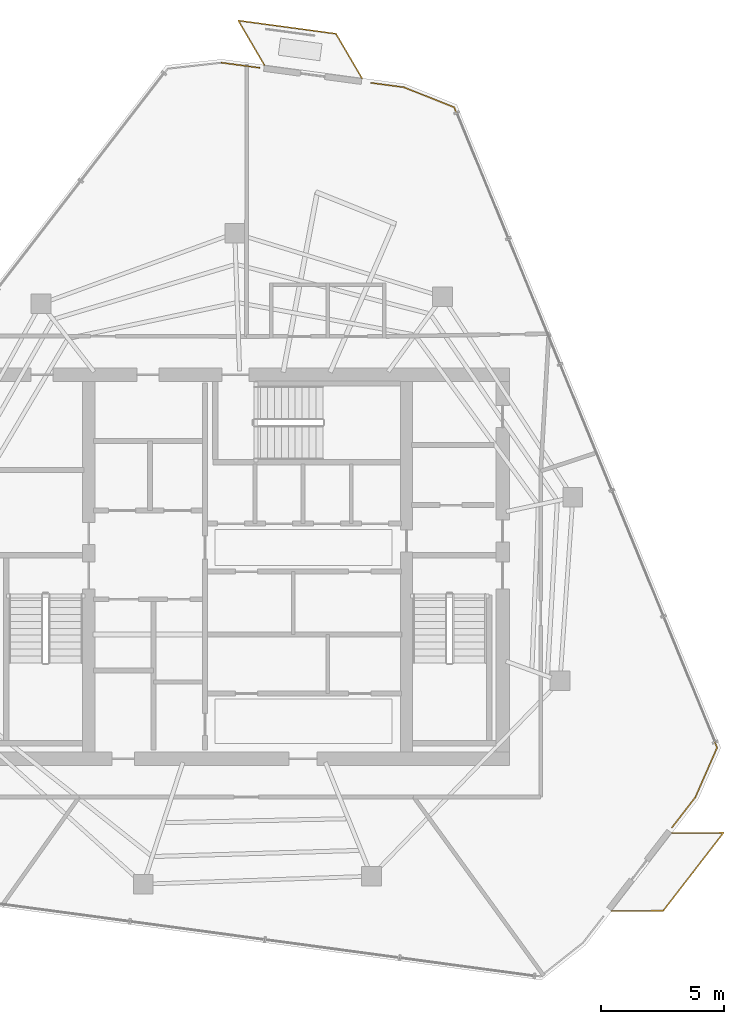
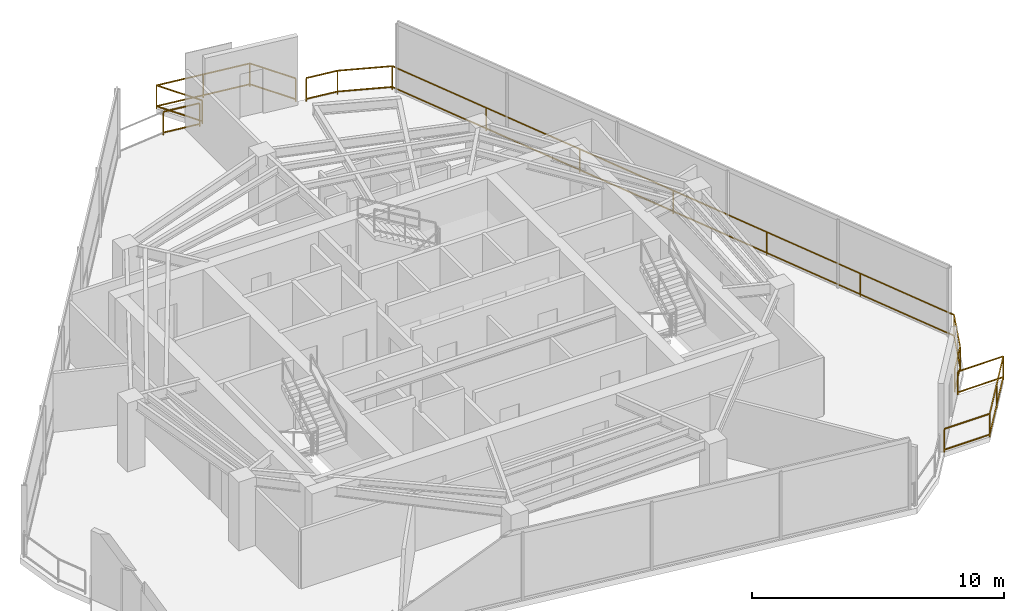
# One storey, part 19 of 19: 4 railings.
"""IFC4 building model written with IfcOpenShell, lengths in metres."""

from ifc_helpers import new_model, si_unit, direction, frame, origin, origin_2d, place, context, subcontext, project, spatial, rectangle, extrude, material, type_object, element, save


model = new_model("IFC4")

# Units and contexts
model_context = context("Model", 3, precision=1e-05, world=origin(), true_north=direction((0.0, 1.0)))
body_context = subcontext(model_context, "Body", "Model", "MODEL_VIEW")
ifc_project = project(units=[si_unit("LENGTHUNIT", "METRE"), si_unit("AREAUNIT", "SQUARE_METRE"), si_unit("VOLUMEUNIT", "CUBIC_METRE"), si_unit("PLANEANGLEUNIT", "RADIAN"), si_unit("MASSUNIT", "GRAM", prefix="KILO")], contexts=[model_context])

# Site, building, storey
site_placement = place(None, origin())
site = spatial("IfcSite", under=ifc_project, at=site_placement, CompositionType="ELEMENT")
building_placement = place(site_placement, origin())
building = spatial("IfcBuilding", under=site, at=building_placement, Name="Qarnah Convention Tower", CompositionType="ELEMENT")
storey_placement = place(building_placement, frame((0.0, 0.0, 264.300048828125)))
storey = spatial("IfcBuildingStorey", under=building, at=storey_placement, Name="L71", CompositionType="ELEMENT", Elevation=264.300048828125)

# Railings
ifc_material = material(Name="Black anodised aluminium", Category="aluminium")
railing_type = type_object("IfcRailingType", Name="RL-EXT-GUARD-1150", PredefinedType="GUARDRAIL", material=ifc_material)
railing_1_placement = place(storey_placement, frame((36.194091796875, 46.864990234375, 0.0)))
element("IfcRailing", 1, at=railing_1_placement, inside=storey, type_object=railing_type, Name="L71 slab-edge perimeter safety guard 01", PredefinedType="GUARDRAIL", context=body_context, shape_type="SweptSolid", body=[
    extrude(rectangle(XDim=0.048095703125, YDim=0.048095703125, at=origin_2d()), frame((0.0, 0.0, 1.1259765625), z_axis=(0.991046311031, -0.133518573213, 0.0), x_axis=(0.133518573213, 0.991046311031, 0.0)), (0.0, 0.0, 1.0), 1.557861328125),
    extrude(rectangle(XDim=0.048095703125, YDim=0.048095703125, at=origin_2d()), frame((0.0, 0.0, 0.1201171875), z_axis=(0.991046311031, -0.133518573213, 0.0), x_axis=(0.133518573213, 0.991046311031, 0.0)), (0.0, 0.0, 1.0), 1.557861328125),
    extrude(rectangle(XDim=0.0419921875, YDim=0.0419921875, at=origin_2d()), origin(), (0.0, 0.0, 1.0), 1.101806640625),
    extrude(rectangle(XDim=0.0419921875, YDim=0.0419921875, at=origin_2d()), frame((1.5439453125, -0.2080078125, 0.0)), (0.0, 0.0, 1.0), 1.101806640625),
])
railing_2_placement = place(storey_placement, frame((42.257080078125, 46.047119140625, 0.0)))
element("IfcRailing", 2, at=railing_2_placement, inside=storey, type_object=railing_type, Name="L71 slab-edge perimeter safety guard 02", PredefinedType="GUARDRAIL", context=body_context, shape_type="SweptSolid", body=[
    extrude(rectangle(XDim=0.048095703125, YDim=0.048095703125, at=origin_2d()), frame((0.0, 0.0, 1.1259765625), z_axis=(0.991084645699, -0.133233723433, 0.0), x_axis=(0.133233723433, 0.991084645699, 0.0)), (0.0, 0.0, 1.0), 1.344970703125),
    extrude(rectangle(XDim=0.048095703125, YDim=0.048095703125, at=origin_2d()), frame((0.0, 0.0, 0.1201171875), z_axis=(0.991084645699, -0.133233723433, 0.0), x_axis=(0.133233723433, 0.991084645699, 0.0)), (0.0, 0.0, 1.0), 1.344970703125),
    extrude(rectangle(XDim=0.048095703125, YDim=0.048095703125, at=origin_2d()), frame((1.3330078125, -0.17919921875, 1.1259765625), z_axis=(0.929194459138, -0.369591202691, 0.0), x_axis=(0.369591202691, 0.929194459138, 0.0)), (0.0, 0.0, 1.0), 2.19970703125),
    extrude(rectangle(XDim=0.048095703125, YDim=0.048095703125, at=origin_2d()), frame((1.3330078125, -0.17919921875, 0.1201171875), z_axis=(0.929194459138, -0.369591202691, 0.0), x_axis=(0.369591202691, 0.929194459138, 0.0)), (0.0, 0.0, 1.0), 2.19970703125),
    extrude(rectangle(XDim=0.048095703125, YDim=0.048095703125, at=origin_2d()), frame((3.376953125, -0.9921875, 1.1259765625), z_axis=(0.379787195474, -0.925073881457, 0.0), x_axis=(0.925073881457, 0.379787195474, 0.0)), (0.0, 0.0, 1.0), 28.10791015625),
    extrude(rectangle(XDim=0.048095703125, YDim=0.048095703125, at=origin_2d()), frame((3.376953125, -0.9921875, 0.1201171875), z_axis=(0.379787195474, -0.925073881457, 0.0), x_axis=(0.925073881457, 0.379787195474, 0.0)), (0.0, 0.0, 1.0), 28.10791015625),
    extrude(rectangle(XDim=0.048095703125, YDim=0.048095703125, at=origin_2d()), frame((14.052001953125, -26.994140625, 1.1259765625), z_axis=(-0.401570015213, -0.915828326097, 0.0), x_axis=(0.915828326097, -0.401570015213, 0.0)), (0.0, 0.0, 1.0), 2.198974609375),
    extrude(rectangle(XDim=0.048095703125, YDim=0.048095703125, at=origin_2d()), frame((14.052001953125, -26.994140625, 0.1201171875), z_axis=(-0.401570015213, -0.915828326097, 0.0), x_axis=(0.915828326097, -0.401570015213, 0.0)), (0.0, 0.0, 1.0), 2.198974609375),
    extrude(rectangle(XDim=0.048095703125, YDim=0.048095703125, at=origin_2d()), frame((13.1689453125, -29.008056640625, 1.1259765625), z_axis=(-0.611541118887, -0.791212651511, 0.0), x_axis=(0.791212651511, -0.611541118887, 0.0)), (0.0, 0.0, 1.0), 1.55859375),
    extrude(rectangle(XDim=0.048095703125, YDim=0.048095703125, at=origin_2d()), frame((13.1689453125, -29.008056640625, 0.1201171875), z_axis=(-0.611541118887, -0.791212651511, 0.0), x_axis=(0.791212651511, -0.611541118887, 0.0)), (0.0, 0.0, 1.0), 1.55859375),
    extrude(rectangle(XDim=0.0419921875, YDim=0.0419921875, at=origin_2d()), origin(), (0.0, 0.0, 1.0), 1.101806640625),
    extrude(rectangle(XDim=0.0419921875, YDim=0.0419921875, at=origin_2d()), frame((1.3330078125, -0.17919921875, 0.0)), (0.0, 0.0, 1.0), 1.101806640625),
    extrude(rectangle(XDim=0.0419921875, YDim=0.0419921875, at=origin_2d()), frame((3.376953125, -0.9921875, 0.0)), (0.0, 0.0, 1.0), 1.101806640625),
    extrude(rectangle(XDim=0.0419921875, YDim=0.0419921875, at=origin_2d()), frame((5.15625, -5.325927734375, 0.0)), (0.0, 0.0, 1.0), 1.101806640625),
    extrude(rectangle(XDim=0.0419921875, YDim=0.0419921875, at=origin_2d()), frame((6.935302734375, -9.659423828125, 0.0)), (0.0, 0.0, 1.0), 1.101806640625),
    extrude(rectangle(XDim=0.0419921875, YDim=0.0419921875, at=origin_2d()), frame((8.71435546875, -13.9931640625, 0.0)), (0.0, 0.0, 1.0), 1.101806640625),
    extrude(rectangle(XDim=0.0419921875, YDim=0.0419921875, at=origin_2d()), frame((10.49365234375, -18.326904296875, 0.0)), (0.0, 0.0, 1.0), 1.101806640625),
    extrude(rectangle(XDim=0.0419921875, YDim=0.0419921875, at=origin_2d()), frame((12.27294921875, -22.660400390625, 0.0)), (0.0, 0.0, 1.0), 1.101806640625),
    extrude(rectangle(XDim=0.0419921875, YDim=0.0419921875, at=origin_2d()), frame((14.052001953125, -26.994140625, 0.0)), (0.0, 0.0, 1.0), 1.101806640625),
    extrude(rectangle(XDim=0.0419921875, YDim=0.0419921875, at=origin_2d()), frame((13.1689453125, -29.008056640625, 0.0)), (0.0, 0.0, 1.0), 1.101806640625),
    extrude(rectangle(XDim=0.0419921875, YDim=0.0419921875, at=origin_2d()), frame((12.2158203125, -30.2412109375, 0.0)), (0.0, 0.0, 1.0), 1.101806640625),
])
railing_3_placement = place(storey_placement, frame((37.927978515625, 46.76708984375, 0.0)))
element("IfcRailing", 3, at=railing_3_placement, inside=storey, type_object=railing_type, Name="L71 balcony safety guard BAL-L71-C1", PredefinedType="GUARDRAIL", context=body_context, shape_type="SweptSolid", body=[
    extrude(rectangle(XDim=0.048095703125, YDim=0.048095703125, at=origin_2d()), frame((0.0, 0.0, 1.1259765625), z_axis=(-0.504689903662, 0.86330070146, 0.0), x_axis=(-0.86330070146, -0.504689903662, 0.0)), (0.0, 0.0, 1.0), 2.09423828125),
    extrude(rectangle(XDim=0.048095703125, YDim=0.048095703125, at=origin_2d()), frame((0.0, 0.0, 0.1201171875), z_axis=(-0.504689903662, 0.86330070146, 0.0), x_axis=(-0.86330070146, -0.504689903662, 0.0)), (0.0, 0.0, 1.0), 2.09423828125),
    extrude(rectangle(XDim=0.048095703125, YDim=0.048095703125, at=origin_2d()), frame((-1.056884765625, 1.807861328125, 1.1259765625), z_axis=(0.991017152823, -0.133734822729, 0.0), x_axis=(0.133734822729, 0.991017152823, 0.0)), (0.0, 0.0, 1.0), 3.999755859375),
    extrude(rectangle(XDim=0.048095703125, YDim=0.048095703125, at=origin_2d()), frame((-1.056884765625, 1.807861328125, 0.1201171875), z_axis=(0.991017152823, -0.133734822729, 0.0), x_axis=(0.133734822729, 0.991017152823, 0.0)), (0.0, 0.0, 1.0), 3.999755859375),
    extrude(rectangle(XDim=0.048095703125, YDim=0.048095703125, at=origin_2d()), frame((2.906982421875, 1.27294921875, 1.1259765625), z_axis=(0.505276618866, -0.862957437205, 0.0), x_axis=(0.862957437205, 0.505276618866, 0.0)), (0.0, 0.0, 1.0), 2.093994140625),
    extrude(rectangle(XDim=0.048095703125, YDim=0.048095703125, at=origin_2d()), frame((2.906982421875, 1.27294921875, 0.1201171875), z_axis=(0.505276618866, -0.862957437205, 0.0), x_axis=(0.862957437205, 0.505276618866, 0.0)), (0.0, 0.0, 1.0), 2.093994140625),
    extrude(rectangle(XDim=0.0419921875, YDim=0.0419921875, at=origin_2d()), origin(), (0.0, 0.0, 1.0), 1.101806640625),
    extrude(rectangle(XDim=0.0419921875, YDim=0.0419921875, at=origin_2d()), frame((-1.056884765625, 1.807861328125, 0.0)), (0.0, 0.0, 1.0), 1.101806640625),
    extrude(rectangle(XDim=0.0419921875, YDim=0.0419921875, at=origin_2d()), frame((0.925048828125, 1.54052734375, 0.0)), (0.0, 0.0, 1.0), 1.101806640625),
    extrude(rectangle(XDim=0.0419921875, YDim=0.0419921875, at=origin_2d()), frame((2.906982421875, 1.27294921875, 0.0)), (0.0, 0.0, 1.0), 1.101806640625),
    extrude(rectangle(XDim=0.0419921875, YDim=0.0419921875, at=origin_2d()), frame((3.965087890625, -0.5341796875, 0.0)), (0.0, 0.0, 1.0), 1.101806640625),
])
railing_4_placement = place(storey_placement, frame((54.47412109375, 15.5859375, 0.0)))
element("IfcRailing", 4, at=railing_4_placement, inside=storey, type_object=railing_type, Name="L71 balcony safety guard BAL-L71-C3", PredefinedType="GUARDRAIL", context=body_context, shape_type="SweptSolid", body=[
    extrude(rectangle(XDim=0.048095703125, YDim=0.048095703125, at=origin_2d()), frame((0.0, 0.0, 1.1259765625), z_axis=(0.999986236932, 0.005246517508, 0.0), x_axis=(-0.005246517508, 0.999986236932, 0.0)), (0.0, 0.0, 1.0), 2.093994140625),
    extrude(rectangle(XDim=0.048095703125, YDim=0.048095703125, at=origin_2d()), frame((0.0, 0.0, 0.1201171875), z_axis=(0.999986236932, 0.005246517508, 0.0), x_axis=(-0.005246517508, 0.999986236932, 0.0)), (0.0, 0.0, 1.0), 2.093994140625),
    extrude(rectangle(XDim=0.048095703125, YDim=0.048095703125, at=origin_2d()), frame((2.093994140625, 0.010986328125, 1.1259765625), z_axis=(-0.611346731556, -0.791362858502, 0.0), x_axis=(0.791362858502, -0.611346731556, 0.0)), (0.0, 0.0, 1.0), 3.99951171875),
    extrude(rectangle(XDim=0.048095703125, YDim=0.048095703125, at=origin_2d()), frame((2.093994140625, 0.010986328125, 0.1201171875), z_axis=(-0.611346731556, -0.791362858502, 0.0), x_axis=(0.791362858502, -0.611346731556, 0.0)), (0.0, 0.0, 1.0), 3.99951171875),
    extrude(rectangle(XDim=0.048095703125, YDim=0.048095703125, at=origin_2d()), frame((-0.35107421875, -3.154052734375, 1.1259765625), z_axis=(-0.999983681482, -0.00571286002, 0.0), x_axis=(0.00571286002, -0.999983681482, 0.0)), (0.0, 0.0, 1.0), 2.093994140625),
    extrude(rectangle(XDim=0.048095703125, YDim=0.048095703125, at=origin_2d()), frame((-0.35107421875, -3.154052734375, 0.1201171875), z_axis=(-0.999983681482, -0.00571286002, 0.0), x_axis=(0.00571286002, -0.999983681482, 0.0)), (0.0, 0.0, 1.0), 2.093994140625),
    extrude(rectangle(XDim=0.0419921875, YDim=0.0419921875, at=origin_2d()), origin(), (0.0, 0.0, 1.0), 1.101806640625),
    extrude(rectangle(XDim=0.0419921875, YDim=0.0419921875, at=origin_2d()), frame((2.093994140625, 0.010986328125, 0.0)), (0.0, 0.0, 1.0), 1.101806640625),
    extrude(rectangle(XDim=0.0419921875, YDim=0.0419921875, at=origin_2d()), frame((0.87158203125, -1.571533203125, 0.0)), (0.0, 0.0, 1.0), 1.101806640625),
    extrude(rectangle(XDim=0.0419921875, YDim=0.0419921875, at=origin_2d()), frame((-0.35107421875, -3.154052734375, 0.0)), (0.0, 0.0, 1.0), 1.101806640625),
    extrude(rectangle(XDim=0.0419921875, YDim=0.0419921875, at=origin_2d()), frame((-2.445068359375, -3.166015625, 0.0)), (0.0, 0.0, 1.0), 1.101806640625),
])

save(model, "model.ifc")
